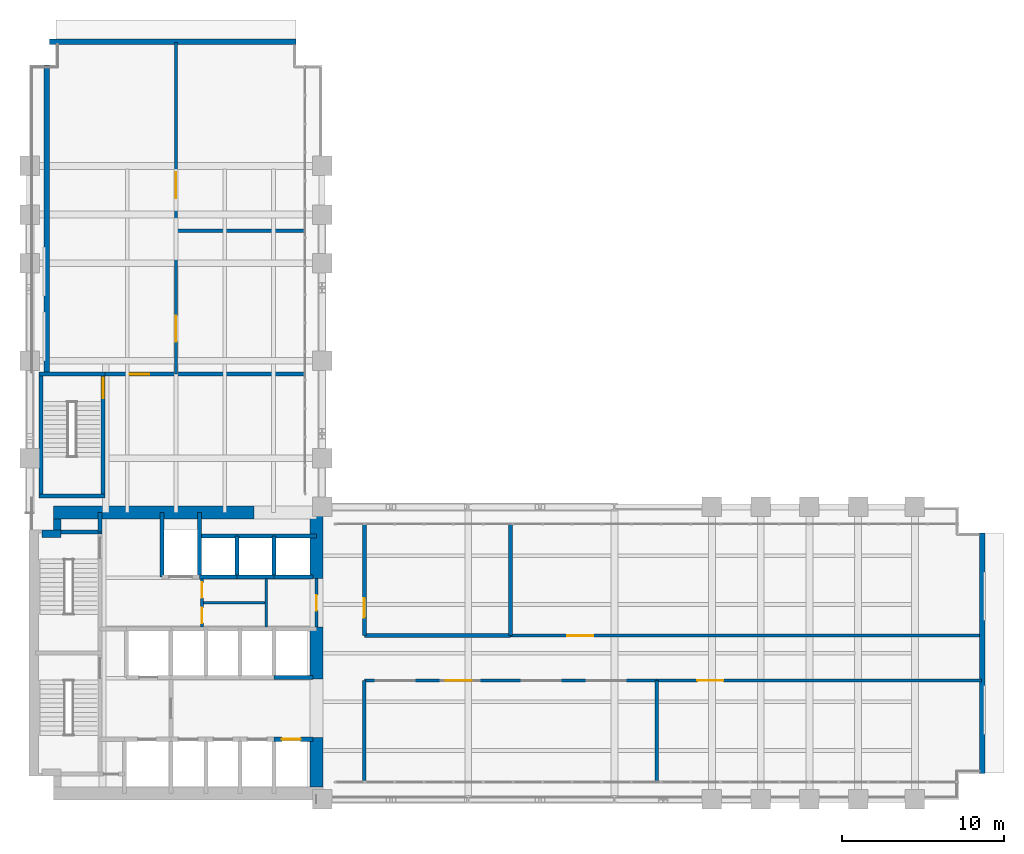
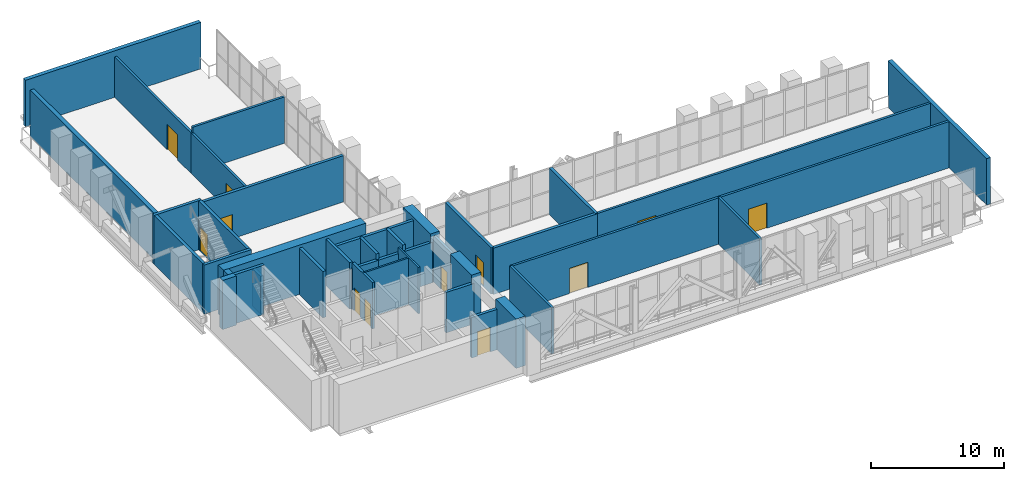
# One storey, part 24 of 27: 41 walls, 12 doors, 12 openings.
"""IFC4 building model written with IfcOpenShell, lengths in metres."""

from ifc_helpers import new_model, si_unit, direction, frame, frame_2d, origin, place, context, subcontext, project, spatial, rectangle, extrude, material, layer, layer_set, type_object, element, fill, save


model = new_model("IFC4")

# Units and contexts
model_context = context("Model", 3, precision=1e-05, world=origin(), true_north=direction((0.0, 1.0)))
body_context = subcontext(model_context, "Body", "Model", "MODEL_VIEW")
ifc_project = project(units=[si_unit("LENGTHUNIT", "METRE"), si_unit("AREAUNIT", "SQUARE_METRE"), si_unit("VOLUMEUNIT", "CUBIC_METRE"), si_unit("PLANEANGLEUNIT", "RADIAN"), si_unit("MASSUNIT", "GRAM", prefix="KILO")], contexts=[model_context])

# Site, building, storey
site_placement = place(None, origin())
site = spatial("IfcSite", under=ifc_project, at=site_placement, CompositionType="ELEMENT")
building_placement = place(site_placement, origin())
building = spatial("IfcBuilding", under=site, at=building_placement, Name="Mawjdan Bourse Tower", CompositionType="ELEMENT")
storey_placement = place(building_placement, frame((0.0, 0.0, 84.60009765625)))
storey = spatial("IfcBuildingStorey", under=building, at=storey_placement, Name="L19", CompositionType="ELEMENT", Elevation=84.60009765625)

# Walls
ifc_material_1 = material(Name="Brick Masonry Terracotta Red", Category="masonry")
ifc_layer_1 = layer(ifc_material_1, 0.340087890625)
ifc_layer_set_1 = layer_set([ifc_layer_1], Name="Brick Masonry Terracotta Red")
wall_type_1 = type_object("IfcWallType", Name="WL-BRK-RED-340", PredefinedType="STANDARD", material=ifc_layer_set_1)
wall_1_placement = place(storey_placement, frame((64.6298828125, 4.60009765625, 0.0), z_axis=(0.0, 0.0, 1.0), x_axis=(0.0, 1.0, 0.0)))
element("IfcWall", 1, at=wall_1_placement, inside=storey, type_object=wall_type_1, Name="L19 Refuge Perimeter Wall ETIP", PredefinedType="STANDARD", context=body_context, shape_type="SweptSolid", body=[
    extrude(rectangle(XDim=14.7998046875, YDim=0.340087890625, at=frame_2d((7.39990234375, 0.0))), origin(), (0.0, 0.0, 1.0), 4.25),
])
wall_2_placement = place(storey_placement, frame((7.050048828125, 48.199951171875, 0.0), z_axis=(0.0, 0.0, 1.0), x_axis=(0.0, -1.0, 0.0)))
element("IfcWall", 2, at=wall_2_placement, inside=storey, type_object=wall_type_1, Name="L19 Refuge Perimeter Wall NWW", PredefinedType="STANDARD", context=body_context, shape_type="SweptSolid", body=[
    extrude(rectangle(XDim=18.89990234375, YDim=0.340087890625, at=frame_2d((9.449951171875, 0.0))), origin(), (0.0, 0.0, 1.0), 4.25),
])
wall_3_placement = place(storey_placement, frame((22.39990234375, 49.6298828125, 0.0), z_axis=(0.0, 0.0, 1.0), x_axis=(-1.0, 0.0, 0.0)))
element("IfcWall", 3, at=wall_3_placement, inside=storey, type_object=wall_type_1, Name="L19 Refuge Perimeter Wall NTIP", PredefinedType="STANDARD", context=body_context, shape_type="SweptSolid", body=[
    extrude(rectangle(XDim=15.179931640625, YDim=0.340087890625, at=frame_2d((7.58984375, 0.0))), origin(), (0.0, 0.0, 1.0), 4.25),
])

# Wall, openings, doors
ifc_material_2 = material(Name="Gypsum Fireboard Assembly")
ifc_layer_2 = layer(ifc_material_2, 0.199951171875)
ifc_layer_set_2 = layer_set([ifc_layer_2], Name="Gypsum Fireboard Assembly")
wall_type_2 = type_object("IfcWallType", Name="WL-CMP-200", PredefinedType="PARTITIONING", material=ifc_layer_set_2)
wall_4_placement = place(storey_placement, frame((16.60009765625, 13.60009765625, 0.0), z_axis=(0.0, 0.0, 1.0), x_axis=(0.0, 1.0, 0.0)))
wall_4 = element("IfcWall", 4, at=wall_4_placement, inside=storey, type_object=wall_type_2, Name="L19 Core Restroom West Wall", PredefinedType="PARTITIONING", context=body_context, shape_type="SweptSolid", body=[
    extrude(rectangle(XDim=3.0, YDim=0.199951171875, at=frame_2d((1.5, 0.0))), origin(), (0.0, 0.0, 1.0), 4.239990234375),
])
opening_1_placement = place(wall_4_placement, frame((0.25, 0.0, 0.0)))
opening_1 = element("IfcOpeningElement", 5, at=opening_1_placement, cuts=wall_4, Name="Opening D-L19-14", PredefinedType="OPENING", context=body_context, shape_type="SweptSolid", body=[
    extrude(rectangle(XDim=0.949951171875, YDim=2.10009765625, at=frame_2d((0.47509765625, 1.050048828125))), frame((0.0, 0.10986328125, 0.0), z_axis=(0.0, -1.0, 0.0), x_axis=(1.0, 0.0, 0.0)), (0.0, 0.0, 1.0), 0.219970703125),
])
opening_2_placement = place(wall_4_placement, frame((1.800048828125, 0.0, 0.0)))
opening_2 = element("IfcOpeningElement", 6, at=opening_2_placement, cuts=wall_4, Name="Opening D-L19-15", PredefinedType="OPENING", context=body_context, shape_type="SweptSolid", body=[
    extrude(rectangle(XDim=0.949951171875, YDim=2.10009765625, at=frame_2d((0.47509765625, 1.050048828125))), frame((0.0, 0.10986328125, 0.0), z_axis=(0.0, -1.0, 0.0), x_axis=(1.0, 0.0, 0.0)), (0.0, 0.0, 1.0), 0.219970703125),
])
ifc_material_3 = material(Name="Moisture-Resistant Laminate Timber", Category="wood")
door_type_1 = type_object("IfcDoorType", Name="DR-WET-0950", OperationType="NOTDEFINED", PredefinedType="DOOR", material=ifc_material_3)
door_1_placement = place(opening_1_placement, origin())
door_1 = element("IfcDoor", 7, at=door_1_placement, inside=storey, type_object=door_type_1, Name="L19 Accessible WC West Entry Door D-L19-14", OperationType="SINGLE_SWING_RIGHT", OverallHeight=2.10009765625, OverallWidth=0.949951171875, PredefinedType="DOOR", context=body_context, shape_type="SweptSolid", body=[
    extrude(rectangle(XDim=0.949951171875, YDim=2.10009765625, at=frame_2d((0.47509765625, 1.050048828125))), frame((0.0, 0.02490234375, 0.0), z_axis=(0.0, -1.0, 0.0), x_axis=(1.0, 0.0, 0.0)), (0.0, 0.0, 1.0), 0.050048828125),
])
fill(opening_1, door_1)
door_2_placement = place(opening_2_placement, origin())
door_2 = element("IfcDoor", 8, at=door_2_placement, inside=storey, type_object=door_type_1, Name="L19 Male Restroom West Entry Door D-L19-15", OperationType="SINGLE_SWING_LEFT", OverallHeight=2.10009765625, OverallWidth=0.949951171875, PredefinedType="DOOR", context=body_context, shape_type="SweptSolid", body=[
    extrude(rectangle(XDim=0.949951171875, YDim=2.10009765625, at=frame_2d((0.47509765625, 1.050048828125))), frame((0.0, 0.02490234375, 0.0), z_axis=(0.0, -1.0, 0.0), x_axis=(1.0, 0.0, 0.0)), (0.0, 0.0, 1.0), 0.050048828125),
])
fill(opening_2, door_2)

# Wall, opening, door
wall_5_placement = place(storey_placement, frame((23.64990234375, 13.60009765625, 0.0), z_axis=(0.0, 0.0, 1.0), x_axis=(0.0, 1.0, 0.0)))
wall_5 = element("IfcWall", 9, at=wall_5_placement, inside=storey, type_object=wall_type_2, Name="L19 Core Restroom East Enclosing Wall", PredefinedType="PARTITIONING", context=body_context, shape_type="SweptSolid", body=[
    extrude(rectangle(XDim=3.0, YDim=0.199951171875, at=frame_2d((1.5, 0.0))), origin(), (0.0, 0.0, 1.0), 4.239990234375),
])
opening_3_placement = place(wall_5_placement, frame((1.02001953125, 0.0, 0.0)))
opening_3 = element("IfcOpeningElement", 10, at=opening_3_placement, cuts=wall_5, Name="Opening D-L19-16", PredefinedType="OPENING", context=body_context, shape_type="SweptSolid", body=[
    extrude(rectangle(XDim=0.949951171875, YDim=2.10009765625, at=frame_2d((0.47509765625, 1.050048828125))), frame((0.0, 0.10986328125, 0.0), z_axis=(0.0, -1.0, 0.0), x_axis=(1.0, 0.0, 0.0)), (0.0, 0.0, 1.0), 0.219970703125),
])
door_3_placement = place(opening_3_placement, origin())
door_3 = element("IfcDoor", 11, at=door_3_placement, inside=storey, type_object=door_type_1, Name="L19 Female Restroom East Entry Door D-L19-16", OperationType="SINGLE_SWING_RIGHT", OverallHeight=2.10009765625, OverallWidth=0.949951171875, PredefinedType="DOOR", context=body_context, shape_type="SweptSolid", body=[
    extrude(rectangle(XDim=0.949951171875, YDim=2.10009765625, at=frame_2d((0.47509765625, 1.050048828125))), frame((0.0, 0.02490234375, 0.0), z_axis=(0.0, -1.0, 0.0), x_axis=(1.0, 0.0, 0.0)), (0.0, 0.0, 1.0), 0.050048828125),
])
fill(opening_3, door_3)

# Wall
wall_6_placement = place(storey_placement, frame((15.0, 38.0, 0.0), z_axis=(0.0, 0.0, 1.0), x_axis=(1.0, 0.0, 0.0)))
element("IfcWall", 12, at=wall_6_placement, inside=storey, type_object=wall_type_2, Name="L19 North Plant Split Wall", PredefinedType="PARTITIONING", context=body_context, shape_type="SweptSolid", body=[
    extrude(rectangle(XDim=7.949951171875, YDim=0.199951171875, at=frame_2d((3.97509765625, 0.0))), origin(), (0.0, 0.0, 1.0), 4.239990234375),
])

# Wall, opening, door
wall_7_placement = place(storey_placement, frame((15.0, 29.179931640625, 0.0), z_axis=(0.0, 0.0, 1.0), x_axis=(0.0, 1.0, 0.0)))
wall_7 = element("IfcWall", 13, at=wall_7_placement, inside=storey, type_object=wall_type_2, Name="L19 North Plant Wall 1", PredefinedType="PARTITIONING", context=body_context, shape_type="SweptSolid", body=[
    extrude(rectangle(XDim=8.820068359375, YDim=0.199951171875, at=frame_2d((4.41015625, 0.0))), origin(), (0.0, 0.0, 1.0), 3.702880859375),
])
opening_4_placement = place(wall_7_placement, frame((2.0, 0.0, 0.0)))
opening_4 = element("IfcOpeningElement", 14, at=opening_4_placement, cuts=wall_7, Name="Opening PD-L19-19", PredefinedType="OPENING", context=body_context, shape_type="SweptSolid", body=[
    extrude(rectangle(XDim=1.60009765625, YDim=2.300048828125, at=frame_2d((0.800048828125, 1.14990234375))), frame((0.0, 0.10986328125, 0.0), z_axis=(0.0, -1.0, 0.0), x_axis=(1.0, 0.0, 0.0)), (0.0, 0.0, 1.0), 0.219970703125),
])
ifc_material_4 = material(Name="Fire-Rated Acoustic Steel", Category="steel")
door_type_2 = type_object("IfcDoorType", Name="FD-PLT-1600", OperationType="DOUBLE_DOOR_SINGLE_SWING", PredefinedType="DOOR", material=ifc_material_4)
door_4_placement = place(opening_4_placement, origin())
door_4 = element("IfcDoor", 15, at=door_4_placement, inside=storey, type_object=door_type_2, Name="L19 Fire Pump Room Door PD-L19-19", OperationType="DOUBLE_DOOR_SINGLE_SWING", OverallHeight=2.300048828125, OverallWidth=1.60009765625, PredefinedType="DOOR", context=body_context, shape_type="SweptSolid", body=[
    extrude(rectangle(XDim=1.60009765625, YDim=2.300048828125, at=frame_2d((0.800048828125, 1.14990234375))), frame((0.0, 0.02490234375, 0.0), z_axis=(0.0, -1.0, 0.0), x_axis=(1.0, 0.0, 0.0)), (0.0, 0.0, 1.0), 0.050048828125),
])
fill(opening_4, door_4)

wall_8_placement = place(storey_placement, frame((15.0, 38.0, 0.0), z_axis=(0.0, 0.0, 1.0), x_axis=(0.0, 1.0, 0.0)))
wall_8 = element("IfcWall", 16, at=wall_8_placement, inside=storey, type_object=wall_type_2, Name="L19 North Plant Wall 2", PredefinedType="PARTITIONING", context=body_context, shape_type="SweptSolid", body=[
    extrude(rectangle(XDim=11.580078125, YDim=0.199951171875, at=frame_2d((5.7900390625, 0.0))), origin(), (0.0, 0.0, 1.0), 3.702880859375),
])
opening_5_placement = place(wall_8_placement, frame((2.0, 0.0, 0.0)))
opening_5 = element("IfcOpeningElement", 17, at=opening_5_placement, cuts=wall_8, Name="Opening PD-L19-20", PredefinedType="OPENING", context=body_context, shape_type="SweptSolid", body=[
    extrude(rectangle(XDim=1.60009765625, YDim=2.300048828125, at=frame_2d((0.800048828125, 1.14990234375))), frame((0.0, 0.10986328125, 0.0), z_axis=(0.0, -1.0, 0.0), x_axis=(1.0, 0.0, 0.0)), (0.0, 0.0, 1.0), 0.219970703125),
])
door_5_placement = place(opening_5_placement, origin())
door_5 = element("IfcDoor", 18, at=door_5_placement, inside=storey, type_object=door_type_2, Name="L19 Smoke Fan Room Door PD-L19-20", OperationType="DOUBLE_DOOR_SINGLE_SWING", OverallHeight=2.300048828125, OverallWidth=1.60009765625, PredefinedType="DOOR", context=body_context, shape_type="SweptSolid", body=[
    extrude(rectangle(XDim=1.60009765625, YDim=2.300048828125, at=frame_2d((0.800048828125, 1.14990234375))), frame((0.0, 0.02490234375, 0.0), z_axis=(0.0, -1.0, 0.0), x_axis=(1.0, 0.0, 0.0)), (0.0, 0.0, 1.0), 0.050048828125),
])
fill(opening_5, door_5)

# Walls
for number, where, z_axis, x_axis, name in (
    (19, (26.60009765625, 4.050048828125, 0.0), (0.0, 0.0, 1.0), (0.0, 1.0, 0.0), "L19 AHU West Vestibule Wall"),
    (20, (44.60009765625, 4.050048828125, 0.0), (0.0, 0.0, 1.0), (0.0, 1.0, 0.0), "L19 South Plant Split Wall"),
):
    element("IfcWall", number, at=place(storey_placement, frame(where, z_axis=z_axis, x_axis=x_axis)), inside=storey, type_object=wall_type_2, Name=name, PredefinedType="PARTITIONING", context=body_context, shape_type="SweptSolid", body=[
        extrude(rectangle(XDim=6.27001953125, YDim=0.199951171875, at=frame_2d((3.135009765625, 0.0))), origin(), (0.0, 0.0, 1.0), 4.239990234375),
    ])

# Wall, opening, door
wall_9_placement = place(storey_placement, frame((26.60009765625, 10.320068359375, 0.0), z_axis=(0.0, 0.0, 1.0), x_axis=(1.0, 0.0, 0.0)))
wall_9 = element("IfcWall", 21, at=wall_9_placement, inside=storey, type_object=wall_type_2, Name="L19 AHU Plant North Wall", PredefinedType="PARTITIONING", context=body_context, shape_type="SweptSolid", body=[
    extrude(rectangle(XDim=18.0, YDim=0.199951171875, at=frame_2d((9.0, 0.0))), origin(), (0.0, 0.0, 1.0), 4.239990234375),
])
opening_6_placement = place(wall_9_placement, frame((5.0, 0.0, 0.0)))
opening_6 = element("IfcOpeningElement", 22, at=opening_6_placement, cuts=wall_9, Name="Opening PD-L19-21", PredefinedType="OPENING", context=body_context, shape_type="SweptSolid", body=[
    extrude(rectangle(XDim=1.60009765625, YDim=2.300048828125, at=frame_2d((0.800048828125, 1.14990234375))), frame((0.0, 0.10986328125, 0.0), z_axis=(0.0, -1.0, 0.0), x_axis=(1.0, 0.0, 0.0)), (0.0, 0.0, 1.0), 0.219970703125),
])
door_6_placement = place(opening_6_placement, origin())
door_6 = element("IfcDoor", 23, at=door_6_placement, inside=storey, type_object=door_type_2, Name="L19 AHU Plant Door PD-L19-21", OperationType="DOUBLE_DOOR_SINGLE_SWING", OverallHeight=2.300048828125, OverallWidth=1.60009765625, PredefinedType="DOOR", context=body_context, shape_type="SweptSolid", body=[
    extrude(rectangle(XDim=1.60009765625, YDim=2.300048828125, at=frame_2d((0.800048828125, 1.14990234375))), frame((0.0, 0.02490234375, 0.0), z_axis=(0.0, -1.0, 0.0), x_axis=(1.0, 0.0, 0.0)), (0.0, 0.0, 1.0), 0.050048828125),
])
fill(opening_6, door_6)

wall_10_placement = place(storey_placement, frame((44.60009765625, 10.320068359375, 0.0), z_axis=(0.0, 0.0, 1.0), x_axis=(1.0, 0.0, 0.0)))
wall_10 = element("IfcWall", 24, at=wall_10_placement, inside=storey, type_object=wall_type_2, Name="L19 CHW Plant North Wall", PredefinedType="PARTITIONING", context=body_context, shape_type="SweptSolid", body=[
    extrude(rectangle(XDim=19.97998046875, YDim=0.199951171875, at=frame_2d((9.989990234375, 0.0))), origin(), (0.0, 0.0, 1.0), 4.239990234375),
])
opening_7_placement = place(wall_10_placement, frame((2.5, 0.0, 0.0)))
opening_7 = element("IfcOpeningElement", 25, at=opening_7_placement, cuts=wall_10, Name="Opening PD-L19-22", PredefinedType="OPENING", context=body_context, shape_type="SweptSolid", body=[
    extrude(rectangle(XDim=1.60009765625, YDim=2.300048828125, at=frame_2d((0.800048828125, 1.14990234375))), frame((0.0, 0.10986328125, 0.0), z_axis=(0.0, -1.0, 0.0), x_axis=(1.0, 0.0, 0.0)), (0.0, 0.0, 1.0), 0.219970703125),
])
door_7_placement = place(opening_7_placement, origin())
door_7 = element("IfcDoor", 26, at=door_7_placement, inside=storey, type_object=door_type_2, Name="L19 CHW Pump Room Door PD-L19-22", OperationType="DOUBLE_DOOR_SINGLE_SWING", OverallHeight=2.300048828125, OverallWidth=1.60009765625, PredefinedType="DOOR", context=body_context, shape_type="SweptSolid", body=[
    extrude(rectangle(XDim=1.60009765625, YDim=2.300048828125, at=frame_2d((0.800048828125, 1.14990234375))), frame((0.0, 0.02490234375, 0.0), z_axis=(0.0, -1.0, 0.0), x_axis=(1.0, 0.0, 0.0)), (0.0, 0.0, 1.0), 0.050048828125),
])
fill(opening_7, door_7)

wall_11_placement = place(storey_placement, frame((35.60009765625, 13.080078125, 0.0), z_axis=(0.0, 0.0, 1.0), x_axis=(1.0, 0.0, 0.0)))
wall_11 = element("IfcWall", 27, at=wall_11_placement, inside=storey, type_object=wall_type_2, Name="L19 Switchgear South Wall", PredefinedType="PARTITIONING", context=body_context, shape_type="SweptSolid", body=[
    extrude(rectangle(XDim=28.97998046875, YDim=0.199951171875, at=frame_2d((14.489990234375, 0.0))), origin(), (0.0, 0.0, 1.0), 4.239990234375),
])
opening_8_placement = place(wall_11_placement, frame((3.5, 0.0, 0.0)))
opening_8 = element("IfcOpeningElement", 28, at=opening_8_placement, cuts=wall_11, Name="Opening PD-L19-24", PredefinedType="OPENING", context=body_context, shape_type="SweptSolid", body=[
    extrude(rectangle(XDim=1.60009765625, YDim=2.300048828125, at=frame_2d((0.800048828125, 1.14990234375))), frame((0.0, 0.10986328125, 0.0), z_axis=(0.0, -1.0, 0.0), x_axis=(1.0, 0.0, 0.0)), (0.0, 0.0, 1.0), 0.219970703125),
])
door_8_placement = place(opening_8_placement, origin())
door_8 = element("IfcDoor", 29, at=door_8_placement, inside=storey, type_object=door_type_2, Name="L19 Switchgear Room Door PD-L19-24", OperationType="DOUBLE_DOOR_SINGLE_SWING", OverallHeight=2.300048828125, OverallWidth=1.60009765625, PredefinedType="DOOR", context=body_context, shape_type="SweptSolid", body=[
    extrude(rectangle(XDim=1.60009765625, YDim=2.300048828125, at=frame_2d((0.800048828125, 1.14990234375))), frame((0.0, 0.02490234375, 0.0), z_axis=(0.0, -1.0, 0.0), x_axis=(1.0, 0.0, 0.0)), (0.0, 0.0, 1.0), 0.050048828125),
])
fill(opening_8, door_8)

# Walls
ifc_material_5 = material(Name="Concrete C60/75", Category="concrete")
ifc_layer_3 = layer(ifc_material_5, 0.449951171875)
ifc_layer_set_3 = layer_set([ifc_layer_3], Name="Concrete C60/75")
wall_type_3 = type_object("IfcWallType", Name="WL-CORE-450", PredefinedType="SHEAR", material=ifc_layer_set_3)
wall_12_placement = place(storey_placement, frame((6.75, 19.35009765625, 0.0), z_axis=(0.0, 0.0, 1.0), x_axis=(1.0, 0.0, 0.0)))
element("IfcWall", 30, at=wall_12_placement, inside=storey, type_object=wall_type_3, Name="L19 Rear Core Shear Wall NW-X", PredefinedType="SHEAR", context=body_context, shape_type="SweptSolid", body=[
    extrude(rectangle(XDim=1.175048828125, YDim=0.449951171875, at=frame_2d((0.58740234375, 0.0))), origin(), (0.0, 0.0, 1.0), 4.5),
])
wall_13_placement = place(storey_placement, frame((7.699951171875, 19.574951171875, 0.0), z_axis=(0.0, 0.0, 1.0), x_axis=(0.0, 1.0, 0.0)))
element("IfcWall", 31, at=wall_13_placement, inside=storey, type_object=wall_type_3, Name="L19 Rear Core Shear Wall NW-Y", PredefinedType="SHEAR", context=body_context, shape_type="SweptSolid", body=[
    extrude(rectangle(XDim=0.675048828125, YDim=0.449951171875, at=frame_2d((0.33740234375, 0.0))), origin(), (0.0, 0.0, 1.0), 4.5),
])
ifc_material_6 = material(Name="Concrete C80/95", Category="concrete")
ifc_layer_4 = layer(ifc_material_6, 0.800048828125)
ifc_layer_set_4 = layer_set([ifc_layer_4], Name="Concrete C80/95")
wall_type_4 = type_object("IfcWallType", Name="WL-CORE-800", PredefinedType="SHEAR", material=ifc_layer_set_4)
wall_14_placement = place(storey_placement, frame((7.47509765625, 20.64990234375, 0.0), z_axis=(0.0, 0.0, 1.0), x_axis=(1.0, 0.0, 0.0)))
element("IfcWall", 32, at=wall_14_placement, inside=storey, type_object=wall_type_4, Name="L19 Rear Core Shear Wall N", PredefinedType="SHEAR", context=body_context, shape_type="SweptSolid", body=[
    extrude(rectangle(XDim=12.324951171875, YDim=0.800048828125, at=frame_2d((6.16259765625, 0.0))), origin(), (0.0, 0.0, 1.0), 4.5),
])
wall_15_placement = place(storey_placement, frame((23.64990234375, 3.75, 0.0), z_axis=(0.0, 0.0, 1.0), x_axis=(0.0, 1.0, 0.0)))
element("IfcWall", 33, at=wall_15_placement, inside=storey, type_object=wall_type_4, Name="L19 Rear Core Shear Wall E1", PredefinedType="SHEAR", context=body_context, shape_type="SweptSolid", body=[
    extrude(rectangle(XDim=3.050048828125, YDim=0.800048828125, at=frame_2d((1.52490234375, 0.0))), origin(), (0.0, 0.0, 1.0), 4.5),
])
wall_16_placement = place(storey_placement, frame((23.64990234375, 10.39990234375, 0.0), z_axis=(0.0, 0.0, 1.0), x_axis=(0.0, 1.0, 0.0)))
element("IfcWall", 34, at=wall_16_placement, inside=storey, type_object=wall_type_4, Name="L19 Rear Core Shear Wall E2", PredefinedType="SHEAR", context=body_context, shape_type="SweptSolid", body=[
    extrude(rectangle(XDim=3.2001953125, YDim=0.800048828125, at=frame_2d((1.60009765625, 0.0))), origin(), (0.0, 0.0, 1.0), 4.5),
])
wall_17_placement = place(storey_placement, frame((23.64990234375, 16.60009765625, 0.0), z_axis=(0.0, 0.0, 1.0), x_axis=(0.0, 1.0, 0.0)))
element("IfcWall", 35, at=wall_17_placement, inside=storey, type_object=wall_type_4, Name="L19 Rear Core Shear Wall E3", PredefinedType="SHEAR", context=body_context, shape_type="SweptSolid", body=[
    extrude(rectangle(XDim=4.0498046875, YDim=0.800048828125, at=frame_2d((2.02490234375, 0.0))), origin(), (0.0, 0.0, 1.0), 4.5),
])
ifc_material_7 = material(Name="Gypsum Acoustic Partition")
ifc_layer_5 = layer(ifc_material_7, 0.14990234375)
ifc_layer_set_5 = layer_set([ifc_layer_5], Name="Gypsum Acoustic Partition")
wall_type_5 = type_object("IfcWallType", Name="WL-PRT-150", PredefinedType="PARTITIONING", material=ifc_layer_set_5)
wall_18_placement = place(storey_placement, frame((16.60009765625, 15.10009765625, 0.0), z_axis=(0.0, 0.0, 1.0), x_axis=(1.0, 0.0, 0.0)))
element("IfcWall", 36, at=wall_18_placement, inside=storey, type_object=wall_type_5, Name="L19 Core Restroom West Horizontal Split", PredefinedType="PARTITIONING", context=body_context, shape_type="SweptSolid", body=[
    extrude(rectangle(XDim=3.949951171875, YDim=0.14990234375, at=frame_2d((1.97509765625, 0.0))), origin(), (0.0, 0.0, 1.0), 4.239990234375),
])
wall_19_placement = place(storey_placement, frame((20.550048828125, 13.60009765625, 0.0), z_axis=(0.0, 0.0, 1.0), x_axis=(0.0, 1.0, 0.0)))
element("IfcWall", 37, at=wall_19_placement, inside=storey, type_object=wall_type_5, Name="L19 Core Restroom Vertical Split", PredefinedType="PARTITIONING", context=body_context, shape_type="SweptSolid", body=[
    extrude(rectangle(XDim=3.0, YDim=0.14990234375, at=frame_2d((1.5, 0.0))), origin(), (0.0, 0.0, 1.0), 4.239990234375),
])
ifc_material_8 = material(Name="Concrete C50/60", Category="concrete")
ifc_layer_6 = layer(ifc_material_8, 0.25)
ifc_layer_set_6 = layer_set([ifc_layer_6], Name="Concrete C50/60")
wall_type_6 = type_object("IfcWallType", Name="WL-SHFT-250", PredefinedType="PARTITIONING", material=ifc_layer_set_6)
wall_20_placement = place(storey_placement, frame((10.330078125, 19.449951171875, 0.0), z_axis=(0.0, 0.0, 1.0), x_axis=(0.0, 1.0, 0.0)))
element("IfcWall", 38, at=wall_20_placement, inside=storey, type_object=wall_type_6, Name="L19 NW Riser East Wall", PredefinedType="PARTITIONING", context=body_context, shape_type="SweptSolid", body=[
    extrude(rectangle(XDim=1.199951171875, YDim=0.25, at=frame_2d((0.60009765625, 0.0))), origin(), (0.0, 0.0, 1.0), 3.466796875),
])
for number, where, z_axis, x_axis, name in (
    (39, (14.14990234375, 16.699951171875, 0.0), (0.0, 0.0, 1.0), (0.0, 1.0, 0.0), "L19 SVL-01 West Shaft Wall"),
    (40, (16.449951171875, 16.699951171875, 0.0), (0.0, 0.0, 1.0), (0.0, 1.0, 0.0), "L19 SVL-01 East Shaft Wall"),
):
    element("IfcWall", number, at=place(storey_placement, frame(where, z_axis=z_axis, x_axis=x_axis)), inside=storey, type_object=wall_type_6, Name=name, PredefinedType="PARTITIONING", context=body_context, shape_type="SweptSolid", body=[
        extrude(rectangle(XDim=3.949951171875, YDim=0.25, at=frame_2d((1.97509765625, 0.0))), origin(), (0.0, 0.0, 1.0), 4.239990234375),
    ])
wall_21_placement = place(storey_placement, frame((16.449951171875, 16.699951171875, 0.0), z_axis=(0.0, 0.0, 1.0), x_axis=(1.0, 0.0, 0.0)))
element("IfcWall", 41, at=wall_21_placement, inside=storey, type_object=wall_type_6, Name="L19 PH-01 Front Wall", PredefinedType="PARTITIONING", context=body_context, shape_type="SweptSolid", body=[
    extrude(rectangle(XDim=2.300048828125, YDim=0.25, at=frame_2d((1.14990234375, 0.0))), origin(), (0.0, 0.0, 1.0), 3.702880859375),
])
wall_22_placement = place(storey_placement, frame((18.75, 16.699951171875, 0.0), z_axis=(0.0, 0.0, 1.0), x_axis=(0.0, 1.0, 0.0)))
element("IfcWall", 42, at=wall_22_placement, inside=storey, type_object=wall_type_6, Name="L19 PH-01 Divider Wall", PredefinedType="PARTITIONING", context=body_context, shape_type="SweptSolid", body=[
    extrude(rectangle(XDim=2.5, YDim=0.25, at=frame_2d((1.25, 0.0))), origin(), (0.0, 0.0, 1.0), 4.239990234375),
])
wall_23_placement = place(storey_placement, frame((18.75, 16.699951171875, 0.0), z_axis=(0.0, 0.0, 1.0), x_axis=(1.0, 0.0, 0.0)))
element("IfcWall", 43, at=wall_23_placement, inside=storey, type_object=wall_type_6, Name="L19 PH-02 Front Wall", PredefinedType="PARTITIONING", context=body_context, shape_type="SweptSolid", body=[
    extrude(rectangle(XDim=2.300048828125, YDim=0.25, at=frame_2d((1.14990234375, 0.0))), origin(), (0.0, 0.0, 1.0), 3.702880859375),
])
wall_24_placement = place(storey_placement, frame((21.050048828125, 16.699951171875, 0.0), z_axis=(0.0, 0.0, 1.0), x_axis=(0.0, 1.0, 0.0)))
element("IfcWall", 44, at=wall_24_placement, inside=storey, type_object=wall_type_6, Name="L19 PH-02 Divider Wall", PredefinedType="PARTITIONING", context=body_context, shape_type="SweptSolid", body=[
    extrude(rectangle(XDim=2.5, YDim=0.25, at=frame_2d((1.25, 0.0))), origin(), (0.0, 0.0, 1.0), 4.239990234375),
])
wall_25_placement = place(storey_placement, frame((21.050048828125, 16.699951171875, 0.0), z_axis=(0.0, 0.0, 1.0), x_axis=(1.0, 0.0, 0.0)))
element("IfcWall", 45, at=wall_25_placement, inside=storey, type_object=wall_type_6, Name="L19 PH-03 Front Wall", PredefinedType="PARTITIONING", context=body_context, shape_type="SweptSolid", body=[
    extrude(rectangle(XDim=2.39990234375, YDim=0.25, at=frame_2d((1.199951171875, 0.0))), origin(), (0.0, 0.0, 1.0), 3.702880859375),
])
wall_26_placement = place(storey_placement, frame((16.449951171875, 19.199951171875, 0.0), z_axis=(0.0, 0.0, 1.0), x_axis=(1.0, 0.0, 0.0)))
element("IfcWall", 46, at=wall_26_placement, inside=storey, type_object=wall_type_6, Name="L19 PH Bank North Shaft Back Wall", PredefinedType="PARTITIONING", context=body_context, shape_type="SweptSolid", body=[
    extrude(rectangle(XDim=7.199951171875, YDim=0.25, at=frame_2d((3.60009765625, 0.0))), origin(), (0.0, 0.0, 1.0), 4.239990234375),
])

# Wall, opening, door
wall_27_placement = place(storey_placement, frame((21.050048828125, 6.699951171875, 0.0), z_axis=(0.0, 0.0, 1.0), x_axis=(1.0, 0.0, 0.0)))
wall_27 = element("IfcWall", 47, at=wall_27_placement, inside=storey, type_object=wall_type_6, Name="L19 PL-03 Front Wall", PredefinedType="PARTITIONING", context=body_context, shape_type="SweptSolid", body=[
    extrude(rectangle(XDim=2.39990234375, YDim=0.25, at=frame_2d((1.199951171875, 0.0))), origin(), (0.0, 0.0, 1.0), 3.702880859375),
])
opening_9_placement = place(wall_27_placement, frame((0.47998046875, 0.0, 0.0)))
opening_9 = element("IfcOpeningElement", 48, at=opening_9_placement, cuts=wall_27, Name="Opening LD-L19-13", PredefinedType="OPENING", context=body_context, shape_type="SweptSolid", body=[
    extrude(rectangle(XDim=1.14990234375, YDim=2.25, at=frame_2d((0.574951171875, 1.125))), frame((0.0, 0.135009765625, 0.0), z_axis=(0.0, -1.0, 0.0), x_axis=(1.0, 0.0, 0.0)), (0.0, 0.0, 1.0), 0.27001953125),
])
ifc_material_9 = material(Name="Brushed Stainless Steel", Category="steel")
door_type_3 = type_object("IfcDoorType", Name="LD-PAS-1150", OperationType="DOUBLE_DOOR_SLIDING", PredefinedType="DOOR", material=ifc_material_9)
door_9_placement = place(opening_9_placement, origin())
door_9 = element("IfcDoor", 49, at=door_9_placement, inside=storey, type_object=door_type_3, Name="L19 Lift PL-03 Landing Door LD-L19-13", OperationType="DOUBLE_DOOR_SLIDING", OverallHeight=2.25, OverallWidth=1.14990234375, PredefinedType="DOOR", context=body_context, shape_type="SweptSolid", body=[
    extrude(rectangle(XDim=1.14990234375, YDim=2.25, at=frame_2d((0.574951171875, 1.125))), frame((0.0, 0.02490234375, 0.0), z_axis=(0.0, -1.0, 0.0), x_axis=(1.0, 0.0, 0.0)), (0.0, 0.0, 1.0), 0.050048828125),
])
fill(opening_9, door_9)

# Wall
wall_28_placement = place(storey_placement, frame((21.050048828125, 10.5, 0.0), z_axis=(0.0, 0.0, 1.0), x_axis=(1.0, 0.0, 0.0)))
element("IfcWall", 50, at=wall_28_placement, inside=storey, type_object=wall_type_6, Name="L19 PM-04 Front Wall", PredefinedType="PARTITIONING", context=body_context, shape_type="SweptSolid", body=[
    extrude(rectangle(XDim=2.39990234375, YDim=0.25, at=frame_2d((1.199951171875, 0.0))), origin(), (0.0, 0.0, 1.0), 3.702880859375),
])

# Wall, opening, door
wall_29_placement = place(storey_placement, frame((10.550048828125, 29.179931640625, 0.0), z_axis=(0.0, 0.0, 1.0), x_axis=(1.0, 0.0, 0.0)))
wall_29 = element("IfcWall", 51, at=wall_29_placement, inside=storey, type_object=wall_type_6, Name="L19 Refuge Area North EI 120 Firewall", PredefinedType="PARTITIONING", context=body_context, shape_type="SweptSolid", body=[
    extrude(rectangle(XDim=12.39990234375, YDim=0.25, at=frame_2d((6.199951171875, 0.0))), origin(), (0.0, 0.0, 1.0), 4.239990234375),
])
opening_10_placement = place(wall_29_placement, frame((1.60009765625, 0.0, 0.0)))
opening_10 = element("IfcOpeningElement", 52, at=opening_10_placement, cuts=wall_29, Name="Opening FD-L19-18", PredefinedType="OPENING", context=body_context, shape_type="SweptSolid", body=[
    extrude(rectangle(XDim=1.199951171875, YDim=2.199951171875, at=frame_2d((0.60009765625, 1.10009765625))), frame((0.0, 0.135009765625, 0.0), z_axis=(0.0, -1.0, 0.0), x_axis=(1.0, 0.0, 0.0)), (0.0, 0.0, 1.0), 0.27001953125),
])
ifc_material_10 = material(Name="Fire-Rated Steel Leaf", Category="steel")
door_type_4 = type_object("IfcDoorType", Name="FD-FFL-1200", OperationType="NOTDEFINED", PredefinedType="DOOR", material=ifc_material_10)
door_10_placement = place(opening_10_placement, frame((1.199951171875, 0.0, 0.0), z_axis=(0.0, 0.0, 1.0), x_axis=(-1.0, 0.0, 0.0)))
door_10 = element("IfcDoor", 53, at=door_10_placement, inside=storey, type_object=door_type_4, Name="L19 North Plant Corridor Fire Door FD-L19-18", OperationType="SINGLE_SWING_RIGHT", OverallHeight=2.199951171875, OverallWidth=1.199951171875, PredefinedType="DOOR", context=body_context, shape_type="SweptSolid", body=[
    extrude(rectangle(XDim=1.199951171875, YDim=2.199951171875, at=frame_2d((0.60009765625, 1.10009765625))), frame((0.0, 0.02490234375, 0.0), z_axis=(0.0, -1.0, 0.0), x_axis=(1.0, 0.0, 0.0)), (0.0, 0.0, 1.0), 0.050048828125),
])
fill(opening_10, door_10)

wall_30_placement = place(storey_placement, frame((26.60009765625, 13.080078125, 0.0), z_axis=(0.0, 0.0, 1.0), x_axis=(0.0, 1.0, 0.0)))
wall_30 = element("IfcWall", 54, at=wall_30_placement, inside=storey, type_object=wall_type_6, Name="L19 East Refuge West Lobby Wall", PredefinedType="PARTITIONING", context=body_context, shape_type="SweptSolid", body=[
    extrude(rectangle(XDim=6.869873046875, YDim=0.25, at=frame_2d((3.43505859375, 0.0))), origin(), (0.0, 0.0, 1.0), 4.239990234375),
])
opening_11_placement = place(wall_30_placement, frame((1.10009765625, 0.0, 0.0)))
opening_11 = element("IfcOpeningElement", 55, at=opening_11_placement, cuts=wall_30, Name="Opening FD-L19-23", PredefinedType="OPENING", context=body_context, shape_type="SweptSolid", body=[
    extrude(rectangle(XDim=1.199951171875, YDim=2.199951171875, at=frame_2d((0.60009765625, 1.10009765625))), frame((0.0, 0.135009765625, 0.0), z_axis=(0.0, -1.0, 0.0), x_axis=(1.0, 0.0, 0.0)), (0.0, 0.0, 1.0), 0.27001953125),
])
door_11_placement = place(opening_11_placement, origin())
door_11 = element("IfcDoor", 56, at=door_11_placement, inside=storey, type_object=door_type_4, Name="L19 East Refuge Lobby Door FD-L19-23", OperationType="SINGLE_SWING_LEFT", OverallHeight=2.199951171875, OverallWidth=1.199951171875, PredefinedType="DOOR", context=body_context, shape_type="SweptSolid", body=[
    extrude(rectangle(XDim=1.199951171875, YDim=2.199951171875, at=frame_2d((0.60009765625, 1.10009765625))), frame((0.0, 0.02490234375, 0.0), z_axis=(0.0, -1.0, 0.0), x_axis=(1.0, 0.0, 0.0)), (0.0, 0.0, 1.0), 0.050048828125),
])
fill(opening_11, door_11)

# Walls
wall_31_placement = place(storey_placement, frame((26.60009765625, 13.080078125, 0.0), z_axis=(0.0, 0.0, 1.0), x_axis=(1.0, 0.0, 0.0)))
element("IfcWall", 57, at=wall_31_placement, inside=storey, type_object=wall_type_6, Name="L19 East Refuge South Firewall", PredefinedType="PARTITIONING", context=body_context, shape_type="SweptSolid", body=[
    extrude(rectangle(XDim=9.0, YDim=0.25, at=frame_2d((4.5, 0.0))), origin(), (0.0, 0.0, 1.0), 4.239990234375),
])
wall_32_placement = place(storey_placement, frame((35.60009765625, 13.080078125, 0.0), z_axis=(0.0, 0.0, 1.0), x_axis=(0.0, 1.0, 0.0)))
element("IfcWall", 58, at=wall_32_placement, inside=storey, type_object=wall_type_6, Name="L19 Switchgear West Firewall", PredefinedType="PARTITIONING", context=body_context, shape_type="SweptSolid", body=[
    extrude(rectangle(XDim=6.869873046875, YDim=0.25, at=frame_2d((3.43505859375, 0.0))), origin(), (0.0, 0.0, 1.0), 4.239990234375),
])
ifc_layer_7 = layer(ifc_material_8, 0.25)
ifc_layer_set_7 = layer_set([ifc_layer_7], Name="Concrete C50/60")
wall_type_7 = type_object("IfcWallType", Name="WL-STRW-250", PredefinedType="SHEAR", material=ifc_layer_set_7)
wall_33_placement = place(storey_placement, frame((7.699951171875, 19.449951171875, 0.0), z_axis=(0.0, 0.0, 1.0), x_axis=(1.0, 0.0, 0.0)))
element("IfcWall", 59, at=wall_33_placement, inside=storey, type_object=wall_type_7, Name="L19 Stairwell ST2 North Shaft Wall", PredefinedType="SHEAR", context=body_context, shape_type="SweptSolid", body=[
    extrude(rectangle(XDim=2.755126953125, YDim=0.25, at=frame_2d((1.37744140625, 0.0))), origin(), (0.0, 0.0, 1.0), 4.5),
])
for number, where, z_axis, x_axis, name in (
    (60, (6.554931640625, 21.679931640625, 0.0), (0.0, 0.0, 1.0), (1.0, 0.0, 0.0), "L19 ST3 South Shaft Wall"),
    (61, (6.554931640625, 29.179931640625, 0.0), (0.0, 0.0, 1.0), (1.0, 0.0, 0.0), "L19 ST3 North Shaft Wall"),
):
    element("IfcWall", number, at=place(storey_placement, frame(where, z_axis=z_axis, x_axis=x_axis)), inside=storey, type_object=wall_type_7, Name=name, PredefinedType="SHEAR", context=body_context, shape_type="SweptSolid", body=[
        extrude(rectangle(XDim=4.090087890625, YDim=0.25, at=frame_2d((2.044921875, 0.0))), origin(), (0.0, 0.0, 1.0), 4.5),
    ])
wall_34_placement = place(storey_placement, frame((6.679931640625, 21.679931640625, 0.0), z_axis=(0.0, 0.0, 1.0), x_axis=(0.0, 1.0, 0.0)))
element("IfcWall", 62, at=wall_34_placement, inside=storey, type_object=wall_type_7, Name="L19 ST3 West Shaft Wall", PredefinedType="SHEAR", context=body_context, shape_type="SweptSolid", body=[
    extrude(rectangle(XDim=7.5, YDim=0.25, at=frame_2d((3.75, 0.0))), origin(), (0.0, 0.0, 1.0), 4.5),
])

# Wall, opening, door
wall_35_placement = place(storey_placement, frame((10.52001953125, 21.679931640625, 0.0), z_axis=(0.0, 0.0, 1.0), x_axis=(0.0, 1.0, 0.0)))
wall_35 = element("IfcWall", 63, at=wall_35_placement, inside=storey, type_object=wall_type_7, Name="L19 ST3 East Shaft Wall", PredefinedType="SHEAR", context=body_context, shape_type="SweptSolid", body=[
    extrude(rectangle(XDim=7.5, YDim=0.25, at=frame_2d((3.75, 0.0))), origin(), (0.0, 0.0, 1.0), 4.5),
])
opening_12_placement = place(wall_35_placement, frame((6.02001953125, 0.0, 0.0)))
opening_12 = element("IfcOpeningElement", 64, at=opening_12_placement, cuts=wall_35, Name="Opening SD-L19-17", PredefinedType="OPENING", context=body_context, shape_type="SweptSolid", body=[
    extrude(rectangle(XDim=1.25, YDim=2.199951171875, at=frame_2d((0.625, 1.10009765625))), frame((0.0, 0.135009765625, 0.0), z_axis=(0.0, -1.0, 0.0), x_axis=(1.0, 0.0, 0.0)), (0.0, 0.0, 1.0), 0.27001953125),
])
door_type_5 = type_object("IfcDoorType", Name="FD-ST-1250", OperationType="NOTDEFINED", PredefinedType="DOOR", material=ifc_material_10)
door_12_placement = place(opening_12_placement, origin())
door_12 = element("IfcDoor", 65, at=door_12_placement, inside=storey, type_object=door_type_5, Name="L19 Stair ST3 Fire Door SD-L19-17", OperationType="SINGLE_SWING_LEFT", OverallHeight=2.199951171875, OverallWidth=1.25, PredefinedType="DOOR", context=body_context, shape_type="SweptSolid", body=[
    extrude(rectangle(XDim=1.25, YDim=2.199951171875, at=frame_2d((0.625, 1.10009765625))), frame((0.0, 0.02490234375, 0.0), z_axis=(0.0, -1.0, 0.0), x_axis=(1.0, 0.0, 0.0)), (0.0, 0.0, 1.0), 0.050048828125),
])
fill(opening_12, door_12)

save(model, "model.ifc")
